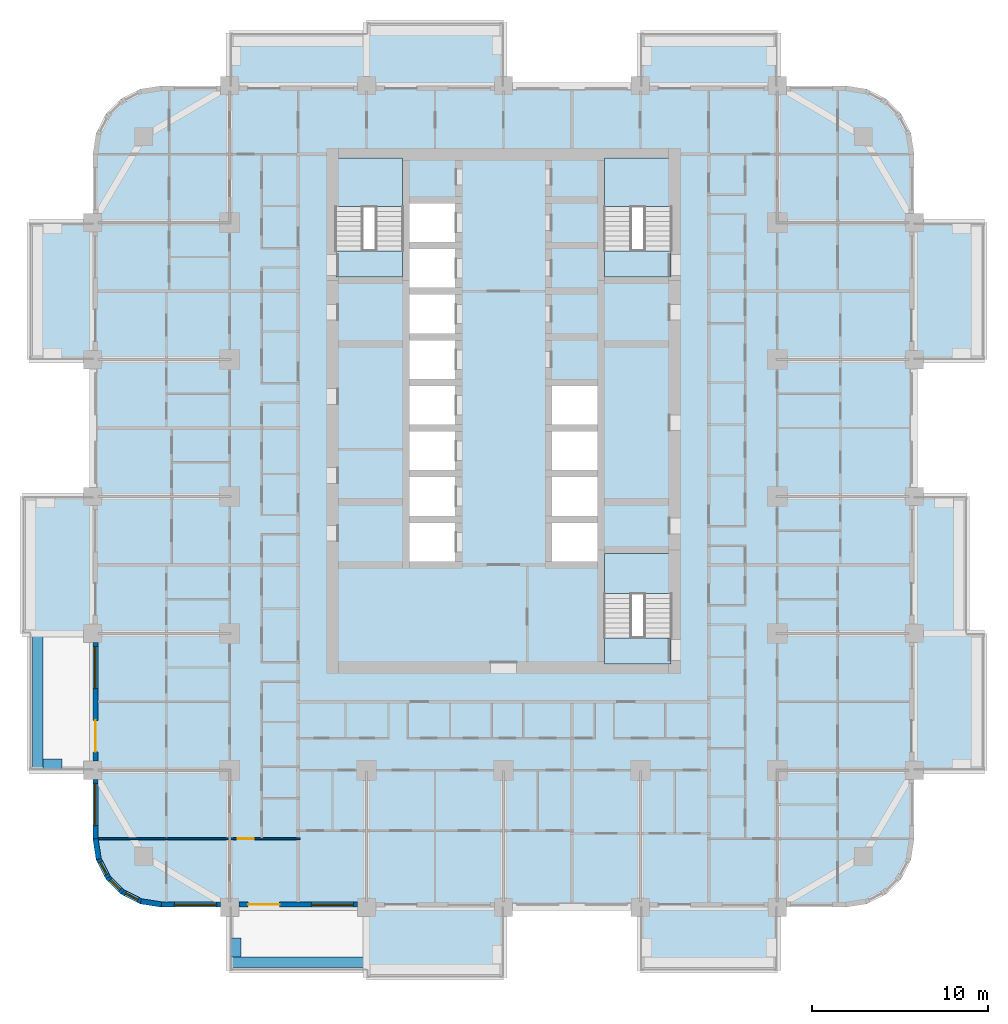
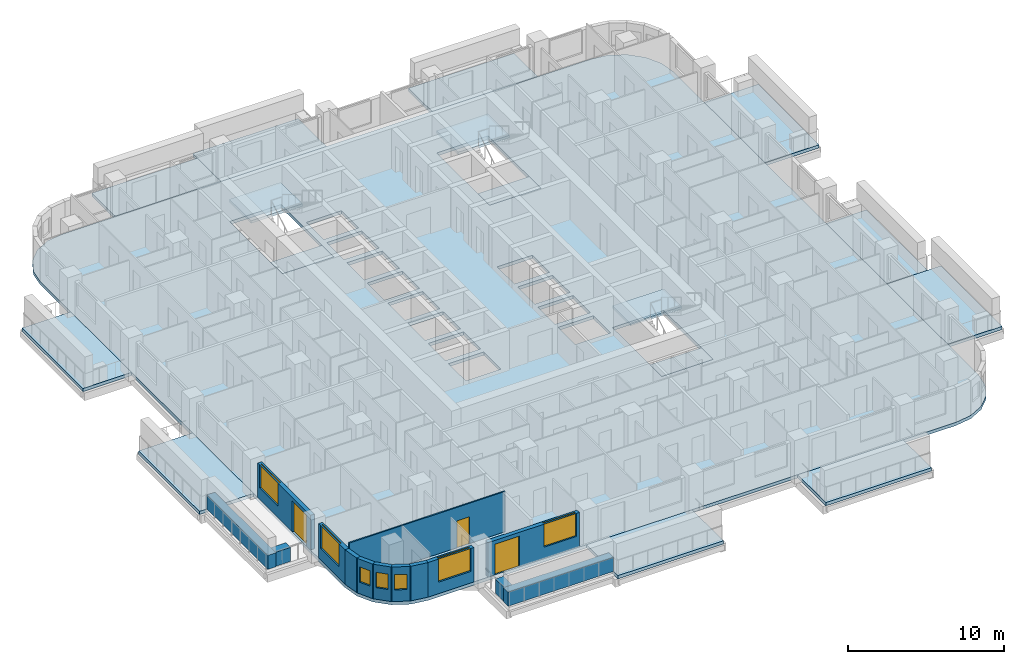
# One storey, part 2 of 17: 17 slabs, 14 walls, 7 windows, 3 doors, 10 openings, 3 elements without a shape of their own.
"""IFC4 building model written with IfcOpenShell, lengths in metres."""

from ifc_helpers import new_model, si_unit, direction, frame, frame_2d, origin, place, context, subcontext, project, spatial, polyline, rectangle, outline, extrude, material, layer, layer_set, type_object, element, fill, aggregate, save


model = new_model("IFC4")

# Units and contexts
model_context = context("Model", 3, precision=1e-05, world=origin(), true_north=direction((0.0, 1.0)))
body_context = subcontext(model_context, "Body", "Model", "MODEL_VIEW")
ifc_project = project(units=[si_unit("LENGTHUNIT", "METRE"), si_unit("AREAUNIT", "SQUARE_METRE"), si_unit("VOLUMEUNIT", "CUBIC_METRE"), si_unit("PLANEANGLEUNIT", "RADIAN"), si_unit("MASSUNIT", "GRAM", prefix="KILO")], contexts=[model_context])

# Site, building, storey
site_placement = place(None, origin())
site = spatial("IfcSite", under=ifc_project, at=site_placement, CompositionType="ELEMENT")
building_placement = place(site_placement, origin())
building = spatial("IfcBuilding", under=site, at=building_placement, Name="Ludao Terraces", CompositionType="ELEMENT")
storey_placement = place(building_placement, frame((0.0, 0.0, 19.5)))
storey = spatial("IfcBuildingStorey", under=building, at=storey_placement, Name="L04", CompositionType="ELEMENT", Elevation=19.5)

# Slabs
ifc_material_1 = material(Name="Concrete C40", Category="concrete")
ifc_layer_1 = layer(ifc_material_1, 0.25)
ifc_layer_set_1 = layer_set([ifc_layer_1], Name="Balcony slab 250 C40")
slab_type_1 = type_object("IfcSlabType", Name="Balcony slab 250 C40", PredefinedType="USERDEFINED", material=ifc_layer_set_1)
slab_1_placement = place(storey_placement, frame((0.0, 0.0, -0.25)))
element("IfcSlab", 1, at=slab_1_placement, inside=storey, type_object=slab_type_1, Name="Balcony L04 S2", ObjectType="BALCONY", PredefinedType="USERDEFINED", context=body_context, shape_type="SweptSolid", body=[
    extrude(outline(polyline([(77.199951171875, 37.60009765625), (85.0, 37.60009765625), (85.0, 41.60009765625), (77.199951171875, 41.60009765625), (77.199951171875, 37.60009765625)])), origin(), (0.0, 0.0, 1.0), 0.25),
])
slab_2_placement = place(storey_placement, frame((0.0, 0.0, -0.25)))
element("IfcSlab", 2, at=slab_2_placement, inside=storey, type_object=slab_type_1, Name="Balcony L04 S4", ObjectType="BALCONY", PredefinedType="USERDEFINED", context=body_context, shape_type="SweptSolid", body=[
    extrude(outline(polyline([(92.800048828125, 38.0), (100.60009765625, 38.0), (100.60009765625, 41.60009765625), (92.800048828125, 41.60009765625), (92.800048828125, 38.0)])), origin(), (0.0, 0.0, 1.0), 0.25),
])
slab_3_placement = place(storey_placement, frame((0.0, 0.0, -0.25)))
element("IfcSlab", 3, at=slab_3_placement, inside=storey, type_object=slab_type_1, Name="Balcony L04 E1", ObjectType="BALCONY", PredefinedType="USERDEFINED", context=body_context, shape_type="SweptSolid", body=[
    extrude(outline(polyline([(108.39990234375, 49.39990234375), (112.39990234375, 49.39990234375), (112.39990234375, 57.199951171875), (108.39990234375, 57.199951171875), (108.39990234375, 49.39990234375)])), origin(), (0.0, 0.0, 1.0), 0.25),
])
slab_4_placement = place(storey_placement, frame((0.0, 0.0, -0.25)))
element("IfcSlab", 4, at=slab_4_placement, inside=storey, type_object=slab_type_1, Name="Balcony L04 E2", ObjectType="BALCONY", PredefinedType="USERDEFINED", context=body_context, shape_type="SweptSolid", body=[
    extrude(outline(polyline([(108.39990234375, 57.199951171875), (111.39990234375, 57.199951171875), (111.39990234375, 65.0), (108.39990234375, 65.0), (108.39990234375, 57.199951171875)])), origin(), (0.0, 0.0, 1.0), 0.25),
])
slab_5_placement = place(storey_placement, frame((0.0, 0.0, -0.25)))
element("IfcSlab", 5, at=slab_5_placement, inside=storey, type_object=slab_type_1, Name="Balcony L04 E4", ObjectType="BALCONY", PredefinedType="USERDEFINED", context=body_context, shape_type="SweptSolid", body=[
    extrude(outline(polyline([(108.39990234375, 72.800048828125), (112.39990234375, 72.800048828125), (112.39990234375, 80.60009765625), (108.39990234375, 80.60009765625), (108.39990234375, 72.800048828125)])), origin(), (0.0, 0.0, 1.0), 0.25),
])
slab_6_placement = place(storey_placement, frame((0.0, 0.0, -0.25)))
element("IfcSlab", 6, at=slab_6_placement, inside=storey, type_object=slab_type_1, Name="Balcony L04 N1", ObjectType="BALCONY", PredefinedType="USERDEFINED", context=body_context, shape_type="SweptSolid", body=[
    extrude(outline(polyline([(69.39990234375, 88.39990234375), (77.199951171875, 88.39990234375), (77.199951171875, 91.39990234375), (69.39990234375, 91.39990234375), (69.39990234375, 88.39990234375)])), origin(), (0.0, 0.0, 1.0), 0.25),
])
slab_7_placement = place(storey_placement, frame((0.0, 0.0, -0.25)))
element("IfcSlab", 7, at=slab_7_placement, inside=storey, type_object=slab_type_1, Name="Balcony L04 N2", ObjectType="BALCONY", PredefinedType="USERDEFINED", context=body_context, shape_type="SweptSolid", body=[
    extrude(outline(polyline([(77.199951171875, 88.39990234375), (85.0, 88.39990234375), (85.0, 92.0), (77.199951171875, 92.0), (77.199951171875, 88.39990234375)])), origin(), (0.0, 0.0, 1.0), 0.25),
])
slab_8_placement = place(storey_placement, frame((0.0, 0.0, -0.25)))
element("IfcSlab", 8, at=slab_8_placement, inside=storey, type_object=slab_type_1, Name="Balcony L04 N4", ObjectType="BALCONY", PredefinedType="USERDEFINED", context=body_context, shape_type="SweptSolid", body=[
    extrude(outline(polyline([(92.800048828125, 88.39990234375), (100.60009765625, 88.39990234375), (100.60009765625, 91.39990234375), (92.800048828125, 91.39990234375), (92.800048828125, 88.39990234375)])), origin(), (0.0, 0.0, 1.0), 0.25),
])
slab_9_placement = place(storey_placement, frame((0.0, 0.0, -0.25)))
element("IfcSlab", 9, at=slab_9_placement, inside=storey, type_object=slab_type_1, Name="Balcony L04 W2", ObjectType="BALCONY", PredefinedType="USERDEFINED", context=body_context, shape_type="SweptSolid", body=[
    extrude(outline(polyline([(57.60009765625, 57.199951171875), (61.60009765625, 57.199951171875), (61.60009765625, 65.0), (57.60009765625, 65.0), (57.60009765625, 57.199951171875)])), origin(), (0.0, 0.0, 1.0), 0.25),
])
slab_10_placement = place(storey_placement, frame((0.0, 0.0, -0.25)))
element("IfcSlab", 10, at=slab_10_placement, inside=storey, type_object=slab_type_1, Name="Balcony L04 W4", ObjectType="BALCONY", PredefinedType="USERDEFINED", context=body_context, shape_type="SweptSolid", body=[
    extrude(outline(polyline([(58.0, 72.800048828125), (61.60009765625, 72.800048828125), (61.60009765625, 80.60009765625), (58.0, 80.60009765625), (58.0, 72.800048828125)])), origin(), (0.0, 0.0, 1.0), 0.25),
])
ifc_layer_2 = layer(ifc_material_1, 0.25)
ifc_layer_set_2 = layer_set([ifc_layer_2], Name="Floor slab 250 C40")
slab_type_2 = type_object("IfcSlabType", Name="Floor slab 250 C40", PredefinedType="FLOOR", material=ifc_layer_set_2)
slab_11_placement = place(storey_placement, frame((0.0, 0.0, -0.25)))
element("IfcSlab", 11, at=slab_11_placement, inside=storey, type_object=slab_type_2, Name="Slab L04", PredefinedType="FLOOR", context=body_context, shape_type="SweptSolid", body=[
    extrude(outline(polyline([(104.5, 41.60009765625), (105.705078125, 41.790771484375), (106.79248046875, 42.3447265625), (107.6552734375, 43.20751953125), (108.209228515625, 44.294921875), (108.39990234375, 45.5), (108.39990234375, 84.5), (108.209228515625, 85.705078125), (107.6552734375, 86.79248046875), (106.79248046875, 87.6552734375), (105.705078125, 88.209228515625), (104.5, 88.39990234375), (65.5, 88.39990234375), (64.294921875, 88.209228515625), (63.20751953125, 87.6552734375), (62.3447265625, 86.79248046875), (61.790771484375, 85.705078125), (61.60009765625, 84.5), (61.60009765625, 45.5), (61.790771484375, 44.294921875), (62.3447265625, 43.20751953125), (63.20751953125, 42.3447265625), (64.294921875, 41.790771484375), (65.5, 41.60009765625), (104.5, 41.60009765625)]), holes=[polyline([(79.64990234375, 61.300048828125), (82.25, 61.300048828125), (82.25, 63.5), (79.64990234375, 63.5), (79.64990234375, 61.300048828125)]), polyline([(79.64990234375, 63.89990234375), (82.25, 63.89990234375), (82.25, 66.10009765625), (79.64990234375, 66.10009765625), (79.64990234375, 63.89990234375)]), polyline([(79.64990234375, 66.5), (82.25, 66.5), (82.25, 68.699951171875), (79.64990234375, 68.699951171875), (79.64990234375, 66.5)]), polyline([(79.64990234375, 69.10009765625), (82.25, 69.10009765625), (82.25, 71.300048828125), (79.64990234375, 71.300048828125), (79.64990234375, 69.10009765625)]), polyline([(79.64990234375, 71.699951171875), (82.25, 71.699951171875), (82.25, 73.89990234375), (79.64990234375, 73.89990234375), (79.64990234375, 71.699951171875)]), polyline([(79.64990234375, 74.300048828125), (82.25, 74.300048828125), (82.25, 76.5), (79.64990234375, 76.5), (79.64990234375, 74.300048828125)]), polyline([(79.64990234375, 76.89990234375), (82.25, 76.89990234375), (82.25, 79.10009765625), (79.64990234375, 79.10009765625), (79.64990234375, 76.89990234375)]), polyline([(79.64990234375, 79.5), (82.25, 79.5), (82.25, 81.699951171875), (79.64990234375, 81.699951171875), (79.64990234375, 79.5)]), polyline([(87.75, 61.300048828125), (90.35009765625, 61.300048828125), (90.35009765625, 63.5), (87.75, 63.5), (87.75, 61.300048828125)]), polyline([(87.75, 63.89990234375), (90.35009765625, 63.89990234375), (90.35009765625, 66.10009765625), (87.75, 66.10009765625), (87.75, 63.89990234375)]), polyline([(87.75, 66.5), (90.35009765625, 66.5), (90.35009765625, 68.699951171875), (87.75, 68.699951171875), (87.75, 66.5)]), polyline([(87.75, 69.10009765625), (90.35009765625, 69.10009765625), (90.35009765625, 71.300048828125), (87.75, 71.300048828125), (87.75, 69.10009765625)]), polyline([(75.449951171875, 77.5), (79.25, 77.5), (79.25, 84.239990234375), (75.449951171875, 84.239990234375), (75.449951171875, 77.5)]), polyline([(90.75, 77.5), (94.550048828125, 77.5), (94.550048828125, 84.239990234375), (90.75, 84.239990234375), (90.75, 77.5)]), polyline([(90.75, 55.449951171875), (94.550048828125, 55.449951171875), (94.550048828125, 61.75), (90.75, 61.75), (90.75, 55.449951171875)])]), origin(), (0.0, 0.0, 1.0), 0.25),
])

# Stair, slabs
stair_type = type_object("IfcStairType", Name="INT Stair", PredefinedType="HALF_TURN_STAIR", material=ifc_material_1)
stair_1_placement = place(storey_placement, origin())
stair_1 = element("IfcStair", 12, at=stair_1_placement, inside=storey, type_object=stair_type, Name="EXIT STAIR 1", PredefinedType="HALF_TURN_STAIR")
ifc_layer_3 = layer(ifc_material_1, 0.199951171875)
ifc_layer_set_3 = layer_set([ifc_layer_3], Name="INT Stair landing 200")
slab_type_3 = type_object("IfcSlabType", Name="INT Stair landing 200", PredefinedType="LANDING", material=ifc_layer_set_3)
slab_12_placement = place(storey_placement, frame((0.0, 0.0, 1.5)))
slab_12 = element("IfcSlab", 13, at=slab_12_placement, type_object=slab_type_3, Name="ST1 landing 1", PredefinedType="LANDING", context=body_context, shape_type="SweptSolid", body=[
    extrude(outline(polyline([(75.449951171875, 81.52001953125), (79.25, 81.52001953125), (79.25, 84.300048828125), (75.449951171875, 84.300048828125), (75.449951171875, 81.52001953125)])), origin(), (0.0, 0.0, 1.0), 0.199951171875),
])
slab_13_placement = place(storey_placement, frame((0.0, 0.0, -0.199951171875)))
slab_13 = element("IfcSlab", 14, at=slab_13_placement, type_object=slab_type_3, Name="ST1 landing 2", PredefinedType="LANDING", context=body_context, shape_type="SweptSolid", body=[
    extrude(outline(polyline([(75.449951171875, 77.5), (79.25, 77.5), (79.25, 79.0), (75.449951171875, 79.0), (75.449951171875, 77.5)])), origin(), (0.0, 0.0, 1.0), 0.199951171875),
])
aggregate(stair_1, [slab_12, slab_13])

stair_2_placement = place(storey_placement, origin())
stair_2 = element("IfcStair", 15, at=stair_2_placement, inside=storey, type_object=stair_type, Name="EXIT STAIR 2", PredefinedType="HALF_TURN_STAIR")
slab_14_placement = place(storey_placement, frame((0.0, 0.0, 1.5)))
slab_14 = element("IfcSlab", 16, at=slab_14_placement, type_object=slab_type_3, Name="ST2 landing 1", PredefinedType="LANDING", context=body_context, shape_type="SweptSolid", body=[
    extrude(outline(polyline([(90.75, 81.52001953125), (94.550048828125, 81.52001953125), (94.550048828125, 84.300048828125), (90.75, 84.300048828125), (90.75, 81.52001953125)])), origin(), (0.0, 0.0, 1.0), 0.199951171875),
])
slab_15_placement = place(storey_placement, frame((0.0, 0.0, -0.199951171875)))
slab_15 = element("IfcSlab", 17, at=slab_15_placement, type_object=slab_type_3, Name="ST2 landing 2", PredefinedType="LANDING", context=body_context, shape_type="SweptSolid", body=[
    extrude(outline(polyline([(90.75, 77.5), (94.550048828125, 77.5), (94.550048828125, 79.0), (90.75, 79.0), (90.75, 77.5)])), origin(), (0.0, 0.0, 1.0), 0.199951171875),
])
aggregate(stair_2, [slab_14, slab_15])

stair_3_placement = place(storey_placement, origin())
stair_3 = element("IfcStair", 18, at=stair_3_placement, inside=storey, type_object=stair_type, Name="EXIT STAIR 3", PredefinedType="HALF_TURN_STAIR")
slab_16_placement = place(storey_placement, frame((0.0, 0.0, 1.5)))
slab_16 = element("IfcSlab", 19, at=slab_16_placement, type_object=slab_type_3, Name="ST3 landing 1", PredefinedType="LANDING", context=body_context, shape_type="SweptSolid", body=[
    extrude(outline(polyline([(90.75, 59.469970703125), (94.550048828125, 59.469970703125), (94.550048828125, 61.75), (90.75, 61.75), (90.75, 59.469970703125)])), origin(), (0.0, 0.0, 1.0), 0.199951171875),
])
slab_17_placement = place(storey_placement, frame((0.0, 0.0, -0.199951171875)))
slab_17 = element("IfcSlab", 20, at=slab_17_placement, type_object=slab_type_3, Name="ST3 landing 2", PredefinedType="LANDING", context=body_context, shape_type="SweptSolid", body=[
    extrude(outline(polyline([(90.75, 55.449951171875), (94.550048828125, 55.449951171875), (94.550048828125, 56.949951171875), (90.75, 56.949951171875), (90.75, 55.449951171875)])), origin(), (0.0, 0.0, 1.0), 0.199951171875),
])
aggregate(stair_3, [slab_16, slab_17])

# Walls
ifc_layer_4 = layer(ifc_material_1, 0.60009765625)
ifc_layer_set_4 = layer_set([ifc_layer_4], Name="ENV Planter trough 600")
wall_type_1 = type_object("IfcWallType", Name="ENV Planter trough 600", PredefinedType="USERDEFINED", material=ifc_layer_set_4)
wall_1_placement = place(storey_placement, frame((69.39990234375, 38.449951171875, 0.0), z_axis=(0.0, 0.0, 1.0), x_axis=(1.0, 0.0, 0.0)))
element("IfcWall", 21, at=wall_1_placement, inside=storey, type_object=wall_type_1, Name="PL-L04-S1", ObjectType="PLANTER", PredefinedType="USERDEFINED", context=body_context, shape_type="SweptSolid", body=[
    extrude(rectangle(XDim=7.800048828125, YDim=0.60009765625, at=frame_2d((3.89990234375, 0.0))), origin(), (0.0, 0.0, 1.0), 1.10009765625),
])
wall_2_placement = place(storey_placement, frame((69.75, 38.75, 0.0), z_axis=(0.0, 0.0, 1.0), x_axis=(0.0, 1.0, 0.0)))
element("IfcWall", 22, at=wall_2_placement, inside=storey, type_object=wall_type_1, Name="PL-L04-S1-SA", ObjectType="PLANTER", PredefinedType="USERDEFINED", context=body_context, shape_type="SweptSolid", body=[
    extrude(rectangle(XDim=1.10009765625, YDim=0.60009765625, at=frame_2d((0.550048828125, 0.0))), origin(), (0.0, 0.0, 1.0), 1.10009765625),
])
wall_3_placement = place(storey_placement, frame((58.449951171875, 49.39990234375, 0.0), z_axis=(0.0, 0.0, 1.0), x_axis=(0.0, 1.0, 0.0)))
element("IfcWall", 23, at=wall_3_placement, inside=storey, type_object=wall_type_1, Name="PL-L04-W1", ObjectType="PLANTER", PredefinedType="USERDEFINED", context=body_context, shape_type="SweptSolid", body=[
    extrude(rectangle(XDim=7.800048828125, YDim=0.60009765625, at=frame_2d((3.89990234375, 0.0))), origin(), (0.0, 0.0, 1.0), 1.10009765625),
])
wall_4_placement = place(storey_placement, frame((58.75, 49.75, 0.0), z_axis=(0.0, 0.0, 1.0), x_axis=(1.0, 0.0, 0.0)))
element("IfcWall", 24, at=wall_4_placement, inside=storey, type_object=wall_type_1, Name="PL-L04-W1-SA", ObjectType="PLANTER", PredefinedType="USERDEFINED", context=body_context, shape_type="SweptSolid", body=[
    extrude(rectangle(XDim=1.10009765625, YDim=0.60009765625, at=frame_2d((0.550048828125, 0.0))), origin(), (0.0, 0.0, 1.0), 1.10009765625),
])

# Wall, opening, window
ifc_material_2 = material(Name="Granite cladding", Category="masonry")
ifc_layer_5 = layer(ifc_material_2, 0.0400390625, Category="stone")
ifc_material_3 = material(Name="Mineral wool")
ifc_layer_6 = layer(ifc_material_3, 0.06005859375)
ifc_layer_7 = layer(ifc_material_1, 0.199951171875, Category="concrete")
ifc_layer_set_5 = layer_set([ifc_layer_5, ifc_layer_6, ifc_layer_7], Name="ENV Stone-clad wall 300")
wall_type_2 = type_object("IfcWallType", Name="ENV Stone-clad wall 300", PredefinedType="SOLIDWALL", material=ifc_layer_set_5)
wall_5_placement = place(storey_placement, frame((65.5, 41.75, 0.0), z_axis=(0.0, 0.0, 1.0), x_axis=(1.0, 0.0, 0.0)))
wall_5 = element("IfcWall", 25, at=wall_5_placement, inside=storey, type_object=wall_type_2, Name="EW-L04-S1", PredefinedType="SOLIDWALL", context=body_context, shape_type="SweptSolid", body=[
    extrude(rectangle(XDim=3.375, YDim=0.300048828125, at=frame_2d((1.6875, 0.0))), origin(), (0.0, 0.0, 1.0), 2.699951171875),
])
opening_1_placement = place(wall_5_placement, frame((0.75, 0.0, 0.89990234375)))
opening_1 = element("IfcOpeningElement", 26, at=opening_1_placement, cuts=wall_5, Name="Opening W1", PredefinedType="OPENING", context=body_context, shape_type="SweptSolid", body=[
    extrude(rectangle(XDim=2.39990234375, YDim=1.800048828125, at=frame_2d((1.199951171875, 0.89990234375))), frame((0.0, 0.16015625, 0.0), z_axis=(0.0, -1.0, 0.0), x_axis=(1.0, 0.0, 0.0)), (0.0, 0.0, 1.0), 0.320068359375),
])
ifc_material_4 = material(Name="Clear glass in aluminium frame", Category="aluminium")
ifc_layer_8 = layer(ifc_material_4, 0.06005859375)
ifc_layer_set_6 = layer_set([ifc_layer_8], Name="ENV Window W1 2400x1800")
window_type_1 = type_object("IfcWindowType", Name="ENV Window W1 2400x1800", PartitioningType="DOUBLE_PANEL_VERTICAL", PredefinedType="WINDOW", material=ifc_layer_set_6)
window_1_placement = place(opening_1_placement, origin())
window_1 = element("IfcWindow", 27, at=window_1_placement, inside=storey, type_object=window_type_1, Name="W-L04-S1-1", OverallHeight=1.800048828125, OverallWidth=2.39990234375, PartitioningType="DOUBLE_PANEL_VERTICAL", PredefinedType="WINDOW", context=body_context, shape_type="SweptSolid", body=[
    extrude(rectangle(XDim=2.39990234375, YDim=1.800048828125, at=frame_2d((1.199951171875, 0.89990234375))), frame((0.0, 0.030029296875, 0.0), z_axis=(0.0, -1.0, 0.0), x_axis=(1.0, 0.0, 0.0)), (0.0, 0.0, 1.0), 0.06005859375),
])
fill(opening_1, window_1)

# Wall, openings, door, window
wall_6_placement = place(storey_placement, frame((69.925048828125, 41.75, 0.0), z_axis=(0.0, 0.0, 1.0), x_axis=(1.0, 0.0, 0.0)))
wall_6 = element("IfcWall", 28, at=wall_6_placement, inside=storey, type_object=wall_type_2, Name="EW-L04-S2", PredefinedType="SOLIDWALL", context=body_context, shape_type="SweptSolid", body=[
    extrude(rectangle(XDim=6.75, YDim=0.300048828125, at=frame_2d((3.375, 0.0))), origin(), (0.0, 0.0, 1.0), 2.699951171875),
])
opening_2_placement = place(wall_6_placement, frame((0.52490234375, 0.0, 0.0)))
opening_2 = element("IfcOpeningElement", 29, at=opening_2_placement, cuts=wall_6, Name="Opening BD", PredefinedType="OPENING", context=body_context, shape_type="SweptSolid", body=[
    extrude(rectangle(XDim=1.800048828125, YDim=2.39990234375, at=frame_2d((0.89990234375, 1.199951171875))), frame((0.0, 0.16015625, 0.0), z_axis=(0.0, -1.0, 0.0), x_axis=(1.0, 0.0, 0.0)), (0.0, 0.0, 1.0), 0.320068359375),
])
opening_3_placement = place(wall_6_placement, frame((4.125, 0.0, 0.89990234375)))
opening_3 = element("IfcOpeningElement", 30, at=opening_3_placement, cuts=wall_6, Name="Opening W1", PredefinedType="OPENING", context=body_context, shape_type="SweptSolid", body=[
    extrude(rectangle(XDim=2.39990234375, YDim=1.800048828125, at=frame_2d((1.199951171875, 0.89990234375))), frame((0.0, 0.16015625, 0.0), z_axis=(0.0, -1.0, 0.0), x_axis=(1.0, 0.0, 0.0)), (0.0, 0.0, 1.0), 0.320068359375),
])
ifc_material_5 = material(Name="Aluminium glazed door", Category="aluminium")
ifc_layer_9 = layer(ifc_material_5, 0.06005859375)
ifc_layer_set_7 = layer_set([ifc_layer_9], Name="ENV Balcony door BD 1800x2400")
door_type_1 = type_object("IfcDoorType", Name="ENV Balcony door BD 1800x2400", OperationType="DOUBLE_DOOR_SINGLE_SWING", PredefinedType="DOOR", material=ifc_layer_set_7)
door_1_placement = place(opening_2_placement, origin())
door_1 = element("IfcDoor", 31, at=door_1_placement, inside=storey, type_object=door_type_1, Name="BD-L04-S2-1", OperationType="DOUBLE_DOOR_SINGLE_SWING", OverallHeight=2.39990234375, OverallWidth=1.800048828125, PredefinedType="DOOR", context=body_context, shape_type="SweptSolid", body=[
    extrude(rectangle(XDim=1.800048828125, YDim=2.39990234375, at=frame_2d((0.89990234375, 1.199951171875))), frame((0.0, 0.02490234375, 0.0), z_axis=(0.0, -1.0, 0.0), x_axis=(1.0, 0.0, 0.0)), (0.0, 0.0, 1.0), 0.050048828125),
])
fill(opening_2, door_1)
window_2_placement = place(opening_3_placement, origin())
window_2 = element("IfcWindow", 32, at=window_2_placement, inside=storey, type_object=window_type_1, Name="W-L04-S2-2", OverallHeight=1.800048828125, OverallWidth=2.39990234375, PartitioningType="DOUBLE_PANEL_VERTICAL", PredefinedType="WINDOW", context=body_context, shape_type="SweptSolid", body=[
    extrude(rectangle(XDim=2.39990234375, YDim=1.800048828125, at=frame_2d((1.199951171875, 0.89990234375))), frame((0.0, 0.030029296875, 0.0), z_axis=(0.0, -1.0, 0.0), x_axis=(1.0, 0.0, 0.0)), (0.0, 0.0, 1.0), 0.06005859375),
])
fill(opening_3, window_2)

# Wall, opening, window
wall_7_placement = place(storey_placement, frame((61.75, 45.5, 0.0), z_axis=(0.0, 0.0, 1.0), x_axis=(0.0, 1.0, 0.0)))
wall_7 = element("IfcWall", 33, at=wall_7_placement, inside=storey, type_object=wall_type_2, Name="EW-L04-W1", PredefinedType="SOLIDWALL", context=body_context, shape_type="SweptSolid", body=[
    extrude(rectangle(XDim=3.375, YDim=0.300048828125, at=frame_2d((1.6875, 0.0))), origin(), (0.0, 0.0, 1.0), 2.699951171875),
])
opening_4_placement = place(wall_7_placement, frame((0.75, 0.0, 0.89990234375)))
opening_4 = element("IfcOpeningElement", 34, at=opening_4_placement, cuts=wall_7, Name="Opening W1", PredefinedType="OPENING", context=body_context, shape_type="SweptSolid", body=[
    extrude(rectangle(XDim=2.39990234375, YDim=1.800048828125, at=frame_2d((1.199951171875, 0.89990234375))), frame((0.0, 0.16015625, 0.0), z_axis=(0.0, -1.0, 0.0), x_axis=(1.0, 0.0, 0.0)), (0.0, 0.0, 1.0), 0.320068359375),
])
window_3_placement = place(opening_4_placement, origin())
window_3 = element("IfcWindow", 35, at=window_3_placement, inside=storey, type_object=window_type_1, Name="W-L04-W1-1", OverallHeight=1.800048828125, OverallWidth=2.39990234375, PartitioningType="DOUBLE_PANEL_VERTICAL", PredefinedType="WINDOW", context=body_context, shape_type="SweptSolid", body=[
    extrude(rectangle(XDim=2.39990234375, YDim=1.800048828125, at=frame_2d((1.199951171875, 0.89990234375))), frame((0.0, 0.030029296875, 0.0), z_axis=(0.0, -1.0, 0.0), x_axis=(1.0, 0.0, 0.0)), (0.0, 0.0, 1.0), 0.06005859375),
])
fill(opening_4, window_3)

# Wall, openings, door, window
wall_8_placement = place(storey_placement, frame((61.75, 49.925048828125, 0.0), z_axis=(0.0, 0.0, 1.0), x_axis=(0.0, 1.0, 0.0)))
wall_8 = element("IfcWall", 36, at=wall_8_placement, inside=storey, type_object=wall_type_2, Name="EW-L04-W2", PredefinedType="SOLIDWALL", context=body_context, shape_type="SweptSolid", body=[
    extrude(rectangle(XDim=6.75, YDim=0.300048828125, at=frame_2d((3.375, 0.0))), origin(), (0.0, 0.0, 1.0), 2.699951171875),
])
opening_5_placement = place(wall_8_placement, frame((0.52490234375, 0.0, 0.0)))
opening_5 = element("IfcOpeningElement", 37, at=opening_5_placement, cuts=wall_8, Name="Opening BD", PredefinedType="OPENING", context=body_context, shape_type="SweptSolid", body=[
    extrude(rectangle(XDim=1.800048828125, YDim=2.39990234375, at=frame_2d((0.89990234375, 1.199951171875))), frame((0.0, 0.16015625, 0.0), z_axis=(0.0, -1.0, 0.0), x_axis=(1.0, 0.0, 0.0)), (0.0, 0.0, 1.0), 0.320068359375),
])
opening_6_placement = place(wall_8_placement, frame((4.125, 0.0, 0.89990234375)))
opening_6 = element("IfcOpeningElement", 38, at=opening_6_placement, cuts=wall_8, Name="Opening W1", PredefinedType="OPENING", context=body_context, shape_type="SweptSolid", body=[
    extrude(rectangle(XDim=2.39990234375, YDim=1.800048828125, at=frame_2d((1.199951171875, 0.89990234375))), frame((0.0, 0.16015625, 0.0), z_axis=(0.0, -1.0, 0.0), x_axis=(1.0, 0.0, 0.0)), (0.0, 0.0, 1.0), 0.320068359375),
])
door_2_placement = place(opening_5_placement, origin())
door_2 = element("IfcDoor", 39, at=door_2_placement, inside=storey, type_object=door_type_1, Name="BD-L04-W2-1", OperationType="DOUBLE_DOOR_SINGLE_SWING", OverallHeight=2.39990234375, OverallWidth=1.800048828125, PredefinedType="DOOR", context=body_context, shape_type="SweptSolid", body=[
    extrude(rectangle(XDim=1.800048828125, YDim=2.39990234375, at=frame_2d((0.89990234375, 1.199951171875))), frame((0.0, 0.02490234375, 0.0), z_axis=(0.0, -1.0, 0.0), x_axis=(1.0, 0.0, 0.0)), (0.0, 0.0, 1.0), 0.050048828125),
])
fill(opening_5, door_2)
window_4_placement = place(opening_6_placement, origin())
window_4 = element("IfcWindow", 40, at=window_4_placement, inside=storey, type_object=window_type_1, Name="W-L04-W2-2", OverallHeight=1.800048828125, OverallWidth=2.39990234375, PartitioningType="DOUBLE_PANEL_VERTICAL", PredefinedType="WINDOW", context=body_context, shape_type="SweptSolid", body=[
    extrude(rectangle(XDim=2.39990234375, YDim=1.800048828125, at=frame_2d((1.199951171875, 0.89990234375))), frame((0.0, 0.030029296875, 0.0), z_axis=(0.0, -1.0, 0.0), x_axis=(1.0, 0.0, 0.0)), (0.0, 0.0, 1.0), 0.06005859375),
])
fill(opening_6, window_4)

# Wall
wall_9_placement = place(storey_placement, frame((61.75, 45.5, 0.0), z_axis=(0.0, 0.0, 1.0), x_axis=(0.156496880861, -0.987678452879, 0.0)))
element("IfcWall", 41, at=wall_9_placement, inside=storey, type_object=wall_type_2, Name="EW-L04-SW1", PredefinedType="SOLIDWALL", context=body_context, shape_type="SweptSolid", body=[
    extrude(rectangle(XDim=1.173095703125, YDim=0.300048828125, at=frame_2d((0.58642578125, 0.0))), origin(), (0.0, 0.0, 1.0), 2.699951171875),
])

# Wall, opening, window
wall_10_placement = place(storey_placement, frame((61.93359375, 44.34130859375, 0.0), z_axis=(0.0, 0.0, 1.0), x_axis=(0.454025524128, -0.890988677504, 0.0)))
wall_10 = element("IfcWall", 42, at=wall_10_placement, inside=storey, type_object=wall_type_2, Name="EW-L04-SW2", PredefinedType="SOLIDWALL", context=body_context, shape_type="SweptSolid", body=[
    extrude(rectangle(XDim=1.17333984375, YDim=0.300048828125, at=frame_2d((0.586669921875, 0.0))), origin(), (0.0, 0.0, 1.0), 2.699951171875),
])
opening_7_placement = place(wall_10_placement, frame((0.1865234375, 0.0, 0.89990234375)))
opening_7 = element("IfcOpeningElement", 43, at=opening_7_placement, cuts=wall_10, Name="Opening W3", PredefinedType="OPENING", context=body_context, shape_type="SweptSolid", body=[
    extrude(rectangle(XDim=0.800048828125, YDim=1.199951171875, at=frame_2d((0.39990234375, 0.60009765625))), frame((0.0, 0.16015625, 0.0), z_axis=(0.0, -1.0, 0.0), x_axis=(1.0, 0.0, 0.0)), (0.0, 0.0, 1.0), 0.320068359375),
])
ifc_layer_10 = layer(ifc_material_4, 0.06005859375)
ifc_layer_set_8 = layer_set([ifc_layer_10], Name="ENV Window W3 800x1200")
window_type_2 = type_object("IfcWindowType", Name="ENV Window W3 800x1200", PartitioningType="SINGLE_PANEL", PredefinedType="WINDOW", material=ifc_layer_set_8)
window_5_placement = place(opening_7_placement, origin())
window_5 = element("IfcWindow", 44, at=window_5_placement, inside=storey, type_object=window_type_2, Name="W-L04-SW2", OverallHeight=1.199951171875, OverallWidth=0.800048828125, PartitioningType="SINGLE_PANEL", PredefinedType="WINDOW", context=body_context, shape_type="SweptSolid", body=[
    extrude(rectangle(XDim=0.800048828125, YDim=1.199951171875, at=frame_2d((0.39990234375, 0.60009765625))), frame((0.0, 0.030029296875, 0.0), z_axis=(0.0, -1.0, 0.0), x_axis=(1.0, 0.0, 0.0)), (0.0, 0.0, 1.0), 0.06005859375),
])
fill(opening_7, window_5)

wall_11_placement = place(storey_placement, frame((62.46630859375, 43.2958984375, 0.0), z_axis=(0.0, 0.0, 1.0), x_axis=(0.707106781187, -0.707106781187, 0.0)))
wall_11 = element("IfcWall", 45, at=wall_11_placement, inside=storey, type_object=wall_type_2, Name="EW-L04-SW3", PredefinedType="SOLIDWALL", context=body_context, shape_type="SweptSolid", body=[
    extrude(rectangle(XDim=1.173095703125, YDim=0.300048828125, at=frame_2d((0.58642578125, 0.0))), origin(), (0.0, 0.0, 1.0), 2.699951171875),
])
opening_8_placement = place(wall_11_placement, frame((0.1865234375, 0.0, 0.89990234375)))
opening_8 = element("IfcOpeningElement", 46, at=opening_8_placement, cuts=wall_11, Name="Opening W3", PredefinedType="OPENING", context=body_context, shape_type="SweptSolid", body=[
    extrude(rectangle(XDim=0.800048828125, YDim=1.199951171875, at=frame_2d((0.39990234375, 0.60009765625))), frame((0.0, 0.16015625, 0.0), z_axis=(0.0, -1.0, 0.0), x_axis=(1.0, 0.0, 0.0)), (0.0, 0.0, 1.0), 0.320068359375),
])
window_6_placement = place(opening_8_placement, origin())
window_6 = element("IfcWindow", 47, at=window_6_placement, inside=storey, type_object=window_type_2, Name="W-L04-SW3", OverallHeight=1.199951171875, OverallWidth=0.800048828125, PartitioningType="SINGLE_PANEL", PredefinedType="WINDOW", context=body_context, shape_type="SweptSolid", body=[
    extrude(rectangle(XDim=0.800048828125, YDim=1.199951171875, at=frame_2d((0.39990234375, 0.60009765625))), frame((0.0, 0.030029296875, 0.0), z_axis=(0.0, -1.0, 0.0), x_axis=(1.0, 0.0, 0.0)), (0.0, 0.0, 1.0), 0.06005859375),
])
fill(opening_8, window_6)

wall_12_placement = place(storey_placement, frame((63.2958984375, 42.46630859375, 0.0), z_axis=(0.0, 0.0, 1.0), x_axis=(0.890988677504, -0.454025524128, 0.0)))
wall_12 = element("IfcWall", 48, at=wall_12_placement, inside=storey, type_object=wall_type_2, Name="EW-L04-SW4", PredefinedType="SOLIDWALL", context=body_context, shape_type="SweptSolid", body=[
    extrude(rectangle(XDim=1.17333984375, YDim=0.300048828125, at=frame_2d((0.586669921875, 0.0))), origin(), (0.0, 0.0, 1.0), 2.699951171875),
])
opening_9_placement = place(wall_12_placement, frame((0.1865234375, 0.0, 0.89990234375)))
opening_9 = element("IfcOpeningElement", 49, at=opening_9_placement, cuts=wall_12, Name="Opening W3", PredefinedType="OPENING", context=body_context, shape_type="SweptSolid", body=[
    extrude(rectangle(XDim=0.800048828125, YDim=1.199951171875, at=frame_2d((0.39990234375, 0.60009765625))), frame((0.0, 0.16015625, 0.0), z_axis=(0.0, -1.0, 0.0), x_axis=(1.0, 0.0, 0.0)), (0.0, 0.0, 1.0), 0.320068359375),
])
window_7_placement = place(opening_9_placement, origin())
window_7 = element("IfcWindow", 50, at=window_7_placement, inside=storey, type_object=window_type_2, Name="W-L04-SW4", OverallHeight=1.199951171875, OverallWidth=0.800048828125, PartitioningType="SINGLE_PANEL", PredefinedType="WINDOW", context=body_context, shape_type="SweptSolid", body=[
    extrude(rectangle(XDim=0.800048828125, YDim=1.199951171875, at=frame_2d((0.39990234375, 0.60009765625))), frame((0.0, 0.030029296875, 0.0), z_axis=(0.0, -1.0, 0.0), x_axis=(1.0, 0.0, 0.0)), (0.0, 0.0, 1.0), 0.06005859375),
])
fill(opening_9, window_7)

# Wall
wall_13_placement = place(storey_placement, frame((64.34130859375, 41.93359375, 0.0), z_axis=(0.0, 0.0, 1.0), x_axis=(0.987678452879, -0.156496880861, 0.0)))
element("IfcWall", 51, at=wall_13_placement, inside=storey, type_object=wall_type_2, Name="EW-L04-SW5", PredefinedType="SOLIDWALL", context=body_context, shape_type="SweptSolid", body=[
    extrude(rectangle(XDim=1.173095703125, YDim=0.300048828125, at=frame_2d((0.58642578125, 0.0))), origin(), (0.0, 0.0, 1.0), 2.699951171875),
])

# Wall, opening, door
ifc_material_6 = material(Name="Gypsum plasterboard", Category="gypsum")
ifc_layer_11 = layer(ifc_material_6, 0.012451171875, Category="gypsum")
ifc_layer_12 = layer(ifc_material_3, 0.06005859375, Name="insulation")
ifc_material_7 = material(Name="Steel Q235", Category="steel")
ifc_layer_13 = layer(ifc_material_7, 0.014892578125, Name="stud")
ifc_layer_14 = layer(ifc_material_6, 0.012451171875, Category="gypsum")
ifc_layer_set_9 = layer_set([ifc_layer_11, ifc_layer_12, ifc_layer_13, ifc_layer_14], Name="INT Partition 100")
wall_type_3 = type_object("IfcWallType", Name="INT Partition 100", PredefinedType="PARTITIONING", material=ifc_layer_set_9)
wall_14_placement = place(storey_placement, frame((61.900146484375, 45.5, 0.0), z_axis=(0.0, 0.0, 1.0), x_axis=(1.0, 0.0, 0.0)))
wall_14 = element("IfcWall", 52, at=wall_14_placement, inside=storey, type_object=wall_type_3, Name="PW-L04-PW000", PredefinedType="PARTITIONING", context=body_context, shape_type="SweptSolid", body=[
    extrude(rectangle(XDim=11.5, YDim=0.10009765625, at=frame_2d((5.75, 0.0))), origin(), (0.0, 0.0, 1.0), 3.14990234375),
])
opening_10_placement = place(wall_14_placement, frame((7.965087890625, 0.0, 0.0)))
opening_10 = element("IfcOpeningElement", 53, at=opening_10_placement, cuts=wall_14, Name="Opening R01-005", PredefinedType="OPENING", context=body_context, shape_type="SweptSolid", body=[
    extrude(rectangle(XDim=0.89990234375, YDim=2.10009765625, at=frame_2d((0.449951171875, 1.050048828125))), frame((0.0, 0.06005859375, 0.0), z_axis=(0.0, -1.0, 0.0), x_axis=(1.0, 0.0, 0.0)), (0.0, 0.0, 1.0), 0.1201171875),
])
ifc_material_8 = material(Name="Timber door leaf", Category="wood")
door_type_2 = type_object("IfcDoorType", Name="INT Room door 900", OperationType="SINGLE_SWING_LEFT", PredefinedType="DOOR", material=ifc_material_8)
door_3_placement = place(opening_10_placement, origin())
door_3 = element("IfcDoor", 54, at=door_3_placement, inside=storey, type_object=door_type_2, Name="DOOR 005", OperationType="SINGLE_SWING_RIGHT", OverallHeight=2.10009765625, OverallWidth=0.89990234375, PredefinedType="DOOR", context=body_context, shape_type="SweptSolid", body=[
    extrude(rectangle(XDim=0.89990234375, YDim=2.10009765625, at=frame_2d((0.449951171875, 1.050048828125))), frame((0.0, 0.02490234375, 0.0), z_axis=(0.0, -1.0, 0.0), x_axis=(1.0, 0.0, 0.0)), (0.0, 0.0, 1.0), 0.050048828125),
])
fill(opening_10, door_3)

save(model, "model.ifc")
